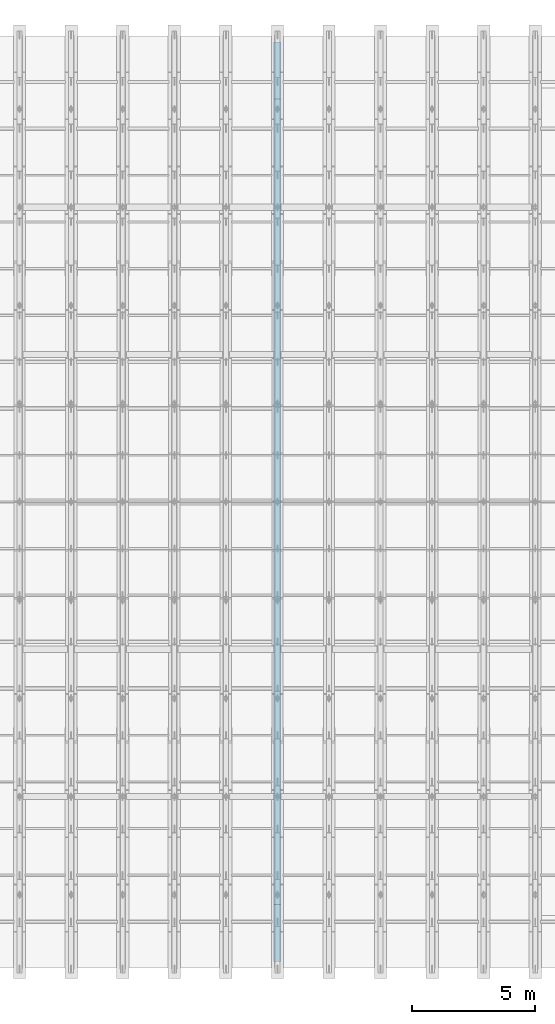
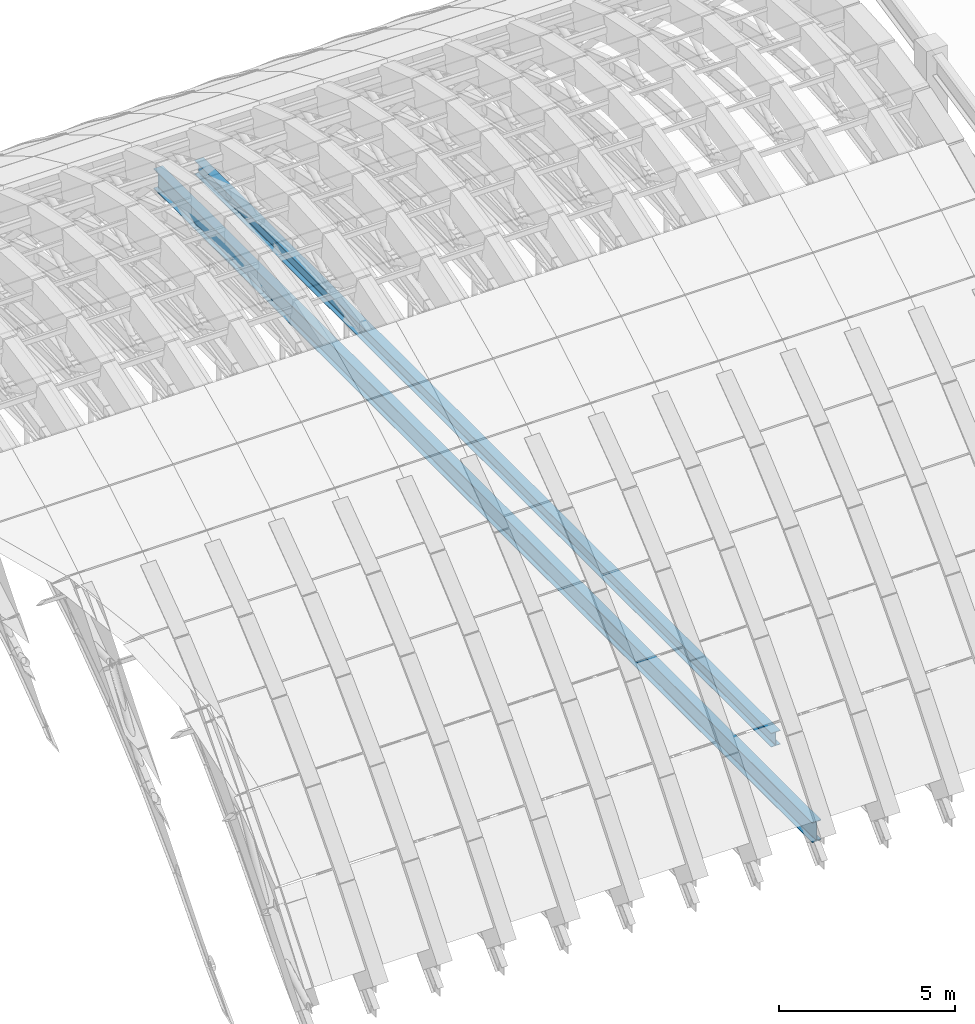
# One storey, part 25 of 67: 2 beams.
"""IFC4 building model written with IfcOpenShell, lengths in metres."""

from ifc_helpers import new_model, si_unit, direction, frame, origin, origin_2d, place, context, subcontext, project, spatial, i_section, extrude, material, material_profile, profile_set, type_object, element, save


model = new_model("IFC4")

# Units and contexts
model_context = context("Model", 3, precision=1e-05, world=origin(), true_north=direction((0.0, 1.0)))
body_context = subcontext(model_context, "Body", "Model", "MODEL_VIEW")
ifc_project = project(units=[si_unit("LENGTHUNIT", "METRE"), si_unit("AREAUNIT", "SQUARE_METRE"), si_unit("VOLUMEUNIT", "CUBIC_METRE"), si_unit("PLANEANGLEUNIT", "RADIAN"), si_unit("MASSUNIT", "GRAM", prefix="KILO")], contexts=[model_context])

# Site, building, storey
site_placement = place(None, origin())
site = spatial("IfcSite", under=ifc_project, at=site_placement, CompositionType="ELEMENT")
building_placement = place(site_placement, origin())
building = spatial("IfcBuilding", under=site, at=building_placement, Name="Shengluoqiao Park Theatre", CompositionType="ELEMENT")
storey_placement = place(building_placement, frame((0.0, 0.0, 28.60009765625)))
storey = spatial("IfcBuildingStorey", under=building, at=storey_placement, Name="Roof", CompositionType="ELEMENT", Elevation=28.60009765625)

# Beams
ifc_material_1 = material(Name="Steel Q355", Category="steel")
ifc_material_profile_1 = material_profile(ifc_material_1, i_section(OverallWidth=0.300048828125, OverallDepth=0.488037109375, WebThickness=0.010986328125, FlangeThickness=0.01806640625, FilletRadius=0.02197265625, at=origin_2d()), Name="HM 488x300x11x18")
ifc_profile_set_1 = profile_set([ifc_material_profile_1], Name="Steel Q355")
beam_type_1 = type_object("IfcBeamType", Name="STR-BM-G-HM488", PredefinedType="BEAM", material=ifc_profile_set_1)
beam_1_placement = place(storey_placement, frame((73.800048828125, 78.60009765625, -8.150146484375), z_axis=(0.0, 1.0, 0.0), x_axis=(-1.0, 0.0, 0.0)))
element("IfcBeam", 1, at=beam_1_placement, inside=storey, type_object=beam_type_1, Name="Barrel-Shell Acoustic Tie Truss Top Chord 15", PredefinedType="BEAM", context=body_context, shape_type="SweptSolid", body=[
    extrude(i_section(OverallWidth=0.300048828125, OverallDepth=0.488037109375, WebThickness=0.010986328125, FlangeThickness=0.01806640625, FilletRadius=0.02197265625, at=origin_2d()), origin(), (0.0, 0.0, 1.0), 32.7998046875),
])
ifc_material_2 = material(Name="Steel Q390", Category="steel")
ifc_material_profile_2 = material_profile(ifc_material_2, i_section(OverallWidth=0.300048828125, OverallDepth=0.699951171875, WebThickness=0.012939453125, FlangeThickness=0.02392578125, FilletRadius=0.02392578125, at=origin_2d()), Name="HN 700x300x13x24")
ifc_profile_set_2 = profile_set([ifc_material_profile_2], Name="Steel Q390")
beam_type_2 = type_object("IfcBeamType", Name="STR-BM-G-HN700", PredefinedType="BEAM", material=ifc_profile_set_2)
beam_2_placement = place(storey_placement, frame((73.800048828125, 76.280029296875, -9.9501953125), z_axis=(0.0, 1.0, 0.0), x_axis=(-1.0, 0.0, 0.0)))
element("IfcBeam", 2, at=beam_2_placement, inside=storey, type_object=beam_type_2, Name="Barrel-Shell Acoustic Tie Truss Bottom Chord 15", PredefinedType="BEAM", context=body_context, shape_type="SweptSolid", body=[
    extrude(i_section(OverallWidth=0.300048828125, OverallDepth=0.699951171875, WebThickness=0.012939453125, FlangeThickness=0.02392578125, FilletRadius=0.02392578125, at=origin_2d()), origin(), (0.0, 0.0, 1.0), 37.43994140625),
])

save(model, "model.ifc")
